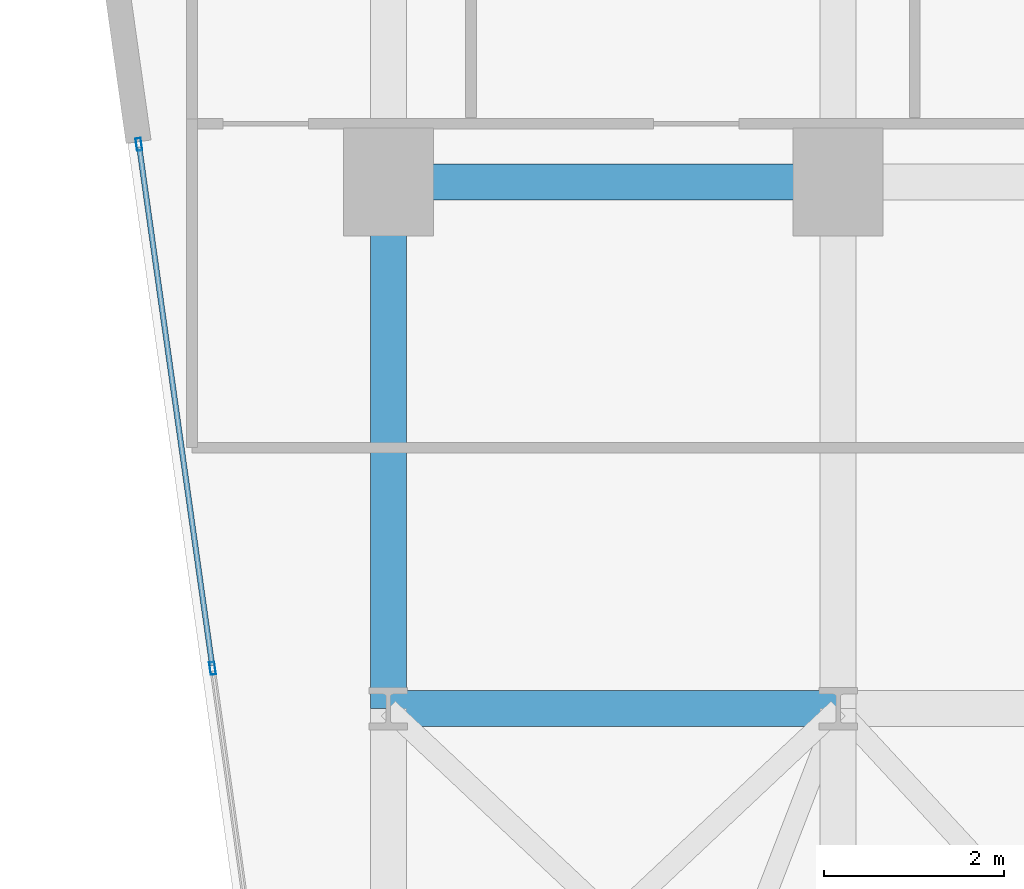
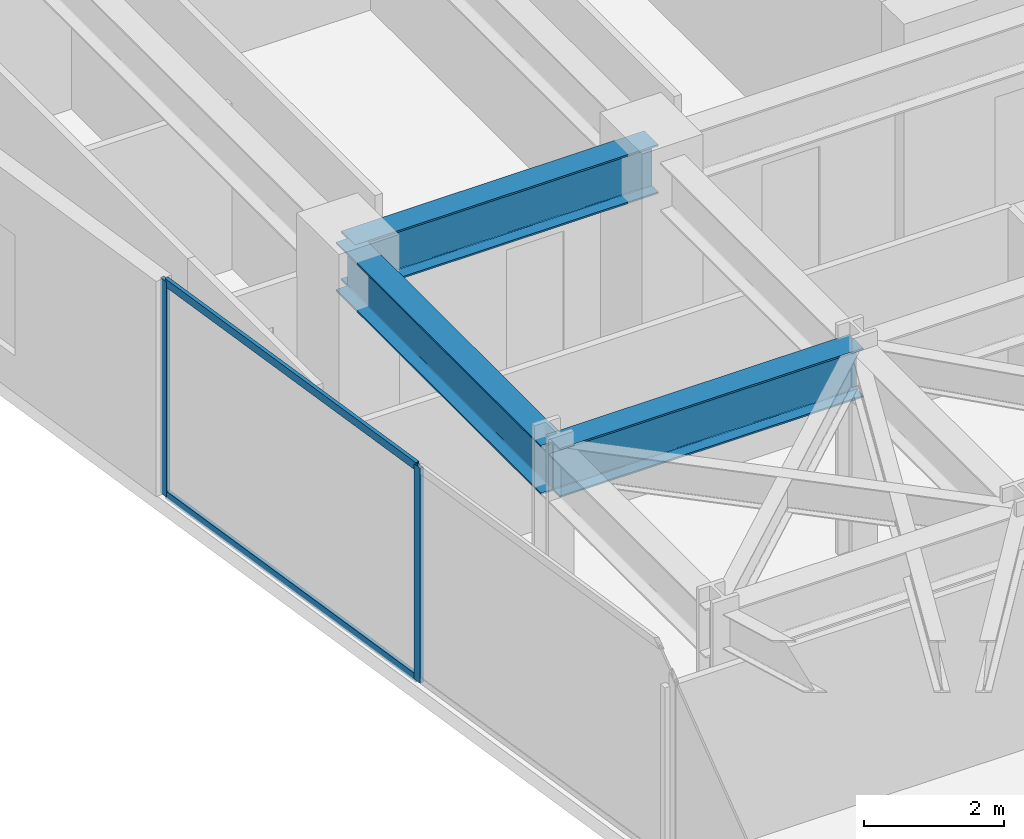
# One storey, part 11 of 26: 4 members, 3 beams, 1 element without a shape of its own.
"""IFC4 building model written with IfcOpenShell, lengths in metres."""

import ifcopenshell
import ifcopenshell.guid

model = None  # the IFC model being written
_history = None  # IfcOwnerHistory: only IFC2X3 demands one
_inside = {}  # id of a spatial element -> (the spatial element, [elements in it])
_under = {}  # id of a project, library or spatial element -> (it, [spatial elements below it])
_declared = {}  # id of a project -> (the project, [libraries it declares])
_typed = {}  # id of a type object -> (the type object, [elements of that type])
_made_of = {}  # id of a material, layer set ... -> (it, [elements and type objects made of it])


def new_model(schema):
    """Start an empty IFC model of exactly this schema.

    Asked for "IFC4X3", IfcOpenShell would pick the latest addendum, in which some entities
    have other attributes; the version numbers below select the first issue.
    IFC2X3 requires an IfcOwnerHistory on every rooted entity: one is made here for all.
    """
    global model, _history
    if schema == "IFC4X3":
        model = ifcopenshell.file(schema_version=(4, 3, 0, 0))
    else:
        model = ifcopenshell.file(schema=schema)
    _inside.clear()
    _under.clear()
    _declared.clear()
    _typed.clear()
    _made_of.clear()
    _history = None
    if model.schema == "IFC2X3":
        org = make("IfcOrganization", Name="unknown")
        user = make(
            "IfcPersonAndOrganization",
            ThePerson=make("IfcPerson", FamilyName="unknown"),
            TheOrganization=org,
        )
        app = make(
            "IfcApplication",
            ApplicationDeveloper=org,
            Version="unknown",
            ApplicationFullName="unknown",
            ApplicationIdentifier="unknown",
        )
        _history = make(
            "IfcOwnerHistory",
            OwningUser=user,
            OwningApplication=app,
            ChangeAction="ADDED",
            CreationDate=0,
        )
    return model


def make(cls, **values):
    """One entity of the class cls with the attributes given. An attribute that is None is left unset."""
    return model.create_entity(
        cls, **{name: value for name, value in values.items() if value is not None}
    )


def rooted(cls, **values):
    """An entity with a GlobalId (a new one), such as an element, a storey or a relation."""
    return make(cls, GlobalId=ifcopenshell.guid.new(), OwnerHistory=_history, **values)


def si_unit(unit_type, name, prefix=None):
    """IfcSIUnit, for example si_unit("LENGTHUNIT", "METRE", prefix="MILLI")."""
    return make("IfcSIUnit", UnitType=unit_type, Prefix=prefix, Name=name)


def assignment(units):
    """IfcUnitAssignment: the units of a project."""
    return None if units is None else make("IfcUnitAssignment", Units=units)


def point(xyz):
    """IfcCartesianPoint."""
    return None if xyz is None else make("IfcCartesianPoint", Coordinates=xyz)


def direction(xyz):
    """IfcDirection."""
    return None if xyz is None else make("IfcDirection", DirectionRatios=xyz)


def frame(location, z_axis=None, x_axis=None):
    """IfcAxis2Placement3D, a coordinate frame: its origin and axes. An axis left out is left unset."""
    return make(
        "IfcAxis2Placement3D",
        Location=point(location),
        Axis=direction(z_axis),
        RefDirection=direction(x_axis),
    )


def frame_2d(location, x_axis=None):
    """IfcAxis2Placement2D, a coordinate frame in the plane: its origin and x axis."""
    return make(
        "IfcAxis2Placement2D", Location=point(location), RefDirection=direction(x_axis)
    )


def origin():
    """The frame at (0, 0, 0) with its axes left unset."""
    return frame((0.0, 0.0, 0.0))


def origin_2d():
    """The frame at (0, 0) in the plane with its x axis left unset."""
    return frame_2d((0.0, 0.0))


def place(relative_to, where):
    """IfcLocalPlacement: puts the frame where relative to a parent placement (None: the world)."""
    return make(
        "IfcLocalPlacement", PlacementRelTo=relative_to, RelativePlacement=where
    )


def context(
    kind, dimensions, precision=None, world=None, true_north=None, identifier=None
):
    """IfcGeometricRepresentationContext, for example the 3D "Model" context."""
    return make(
        "IfcGeometricRepresentationContext",
        ContextIdentifier=identifier,
        ContextType=kind,
        CoordinateSpaceDimension=dimensions,
        Precision=precision,
        WorldCoordinateSystem=world,
        TrueNorth=true_north,
    )


def subcontext(parent, identifier, kind, view, scale=None):
    """IfcGeometricRepresentationSubContext, for example "Body" below "Model"."""
    return make(
        "IfcGeometricRepresentationSubContext",
        ContextIdentifier=identifier,
        ContextType=kind,
        ParentContext=parent,
        TargetScale=scale,
        TargetView=view,
    )


def project(units=None, contexts=None):
    """IfcProject with its units and contexts."""
    return rooted(
        "IfcProject",
        Name="project",
        RepresentationContexts=contexts,
        UnitsInContext=assignment(units),
    )


def spatial(cls, under=None, at=None, **own):
    """A site, building, storey or space (cls), placed at a placement, below another one or the project."""
    s = rooted(cls, ObjectPlacement=at, **own)
    if under is not None:
        _under.setdefault(under.id(), (under, []))[1].append(s)
    return s


def profile(cls, at=None, kind="AREA", **sizes):
    """A parametric profile (cls). Its sizes go by their IFC names, for example OverallWidth=200.0."""
    return make(cls, ProfileType=kind, Position=at, **sizes)


def hollow_rectangle(**sizes):
    """IfcRectangleHollowProfileDef."""
    return profile("IfcRectangleHollowProfileDef", **sizes)


def i_section(**sizes):
    """IfcIShapeProfileDef."""
    return profile("IfcIShapeProfileDef", **sizes)


def extrude(swept, where, along, depth):
    """IfcExtrudedAreaSolid: the profile swept, set in the frame where, extruded along a direction by depth."""
    return make(
        "IfcExtrudedAreaSolid",
        SweptArea=swept,
        Position=where,
        ExtrudedDirection=direction(along),
        Depth=depth,
    )


def shape(context_of_items, identifier, shape_type, items):
    """IfcShapeRepresentation: the items that make up one representation, for example the "Body"."""
    return make(
        "IfcShapeRepresentation",
        ContextOfItems=context_of_items,
        RepresentationIdentifier=identifier,
        RepresentationType=shape_type,
        Items=items,
    )


def material(Name=None, Category=None):
    """IfcMaterial."""
    return make("IfcMaterial", Name=Name, Category=Category)


def layer(
    of_material, thickness, ventilated=None, Name=None, Category=None, Priority=None
):
    """IfcMaterialLayer: one layer of a wall or slab, of a material (None: an air gap)."""
    return make(
        "IfcMaterialLayer",
        Material=of_material,
        LayerThickness=thickness,
        IsVentilated=ventilated,
        Name=Name,
        Category=Category,
        Priority=Priority,
    )


def layer_set(layers, Name=None):
    """IfcMaterialLayerSet."""
    return make("IfcMaterialLayerSet", MaterialLayers=layers, LayerSetName=Name)


def material_profile(
    of_material, cross_section, Name=None, Category=None, Priority=None
):
    """IfcMaterialProfile: a cross section and its material."""
    return make(
        "IfcMaterialProfile",
        Name=Name,
        Material=of_material,
        Profile=cross_section,
        Priority=Priority,
        Category=Category,
    )


def profile_set(profiles, Name=None, composite=None):
    """IfcMaterialProfileSet."""
    return make(
        "IfcMaterialProfileSet",
        Name=Name,
        MaterialProfiles=profiles,
        CompositeProfile=composite,
    )


def made_of(thing, what):
    """Note that an element or type object is made of a material, layer set ...; save() writes the relation."""
    if what is not None:
        _made_of.setdefault(what.id(), (what, []))[1].append(thing)
    return thing


def type_object(cls, material=None, **own):
    """A type object (cls), such as IfcWallType, which elements share."""
    return made_of(rooted(cls, **own), material)


def element(
    cls,
    number,
    at=None,
    inside=None,
    cuts=None,
    type_object=None,
    material=None,
    context=None,
    identifier="Body",
    shape_type=None,
    held_by="IfcProductDefinitionShape",
    body=None,
    shapes=None,
    **own,
):
    """One element of the class cls, such as IfcWall. Its Tag is "e" and its number.

    at: its placement. inside: the storey or other place that contains it. cuts: it is an
    opening in that element (IfcRelVoidsElement). A single representation is given by context,
    identifier, shape_type and body (its items); several are given by shapes. held_by: the class
    of the entity that holds the representations. save() writes the other relations.
    """
    e = rooted(cls, Tag="e%d" % number, ObjectPlacement=at, **own)
    if body is not None:
        shapes = [shape(context, identifier, shape_type, body)]
    if shapes is not None:
        e.Representation = make(held_by, Representations=shapes)
    if inside is not None:
        _inside.setdefault(inside.id(), (inside, []))[1].append(e)
    if cuts is not None:
        rooted(
            "IfcRelVoidsElement", RelatingBuildingElement=cuts, RelatedOpeningElement=e
        )
    if type_object is not None:
        _typed.setdefault(type_object.id(), (type_object, []))[1].append(e)
    return made_of(e, material)


def aggregate(whole, parts):
    """IfcRelAggregates: a whole, such as a stair, and the parts it consists of."""
    return rooted("IfcRelAggregates", RelatingObject=whole, RelatedObjects=parts)


def save(model, path):
    """Write the relations noted so far, then the file.

    IfcRelAggregates (storeys below a building ...), IfcRelContainedInSpatialStructure (elements
    in a storey), IfcRelDefinesByType, IfcRelAssociatesMaterial and IfcRelDeclares: one each for
    every whole, place, type object, material and project.
    """
    for whole, parts in _under.values():
        aggregate(whole, parts)
    for where, things in _inside.values():
        rooted(
            "IfcRelContainedInSpatialStructure",
            RelatedElements=things,
            RelatingStructure=where,
        )
    for kind, things in _typed.values():
        rooted("IfcRelDefinesByType", RelatedObjects=things, RelatingType=kind)
    for what, things in _made_of.values():
        rooted("IfcRelAssociatesMaterial", RelatedObjects=things, RelatingMaterial=what)
    for by, libraries in _declared.values():
        rooted("IfcRelDeclares", RelatingContext=by, RelatedDefinitions=libraries)
    model.write(path)


model = new_model("IFC4")

# Units and contexts
model_context = context("Model", 3, precision=1e-05, world=origin(), true_north=direction((0.0, 1.0)))
body_context = subcontext(model_context, "Body", "Model", "MODEL_VIEW")
ifc_project = project(units=[si_unit("LENGTHUNIT", "METRE"), si_unit("AREAUNIT", "SQUARE_METRE"), si_unit("VOLUMEUNIT", "CUBIC_METRE"), si_unit("PLANEANGLEUNIT", "RADIAN"), si_unit("MASSUNIT", "GRAM", prefix="KILO")], contexts=[model_context])

# Site, building, storey
site_placement = place(None, origin())
site = spatial("IfcSite", under=ifc_project, at=site_placement, CompositionType="ELEMENT")
building_placement = place(site_placement, origin())
building = spatial("IfcBuilding", under=site, at=building_placement, Name="Kravanh Interchange Tower", CompositionType="ELEMENT")
storey_placement = place(building_placement, frame((0.0, 0.0, 112.0)))
storey = spatial("IfcBuildingStorey", under=building, at=storey_placement, Name="L26", CompositionType="ELEMENT", Elevation=112.0)

# Curtain wall, members
ifc_material_1 = material(Name="Anodised Bronze Aluminium", Category="aluminium")
ifc_layer = layer(ifc_material_1, 0.179931640625)
ifc_layer_set = layer_set([ifc_layer], Name="Unitised Curtain Wall System CW-Z2 Mid Office")
curtain_wall_type = type_object("IfcCurtainWallType", Name="Unitised Curtain Wall System CW-Z2 Mid Office", PredefinedType="NOTDEFINED", material=ifc_layer_set)
curtain_wall_placement = place(storey_placement, origin())
curtain_wall = element("IfcCurtainWall", 1, at=curtain_wall_placement, inside=storey, type_object=curtain_wall_type, Name="L26 Unitised Curtain Wall CW-L26-01", PredefinedType="NOTDEFINED")
ifc_material_2 = material(Name="Anodised Bronze Aluminium", Category="aluminium")
ifc_material_profile_1 = material_profile(ifc_material_2, hollow_rectangle(XDim=0.06005859375, YDim=0.139892578125, WallThickness=0.00390625, at=origin_2d()), Name="ALU60X140X4")
ifc_profile_set_1 = profile_set([ifc_material_profile_1], Name="Anodised Bronze Aluminium")
member_type_1 = type_object("IfcMemberType", Name="Curtain Wall Mullion ALU60X140X4 Bronze", PredefinedType="MULLION", material=ifc_profile_set_1)
member_1_placement = place(storey_placement, frame((11.6474609375, 31.94775390625, 0.0), z_axis=(0.0, 0.0, 1.0), x_axis=(-0.990268103846, -0.13917285118, 0.0)))
member_1 = element("IfcMember", 2, at=member_1_placement, type_object=member_type_1, Name="CW-Z2 mullion 5", PredefinedType="MULLION", context=body_context, shape_type="SweptSolid", body=[
    extrude(hollow_rectangle(XDim=0.06005859375, YDim=0.139892578125, WallThickness=0.00390625, at=origin_2d()), origin(), (0.0, 0.0, 1.0), 3.75),
])
member_2_placement = place(storey_placement, frame((10.8291015625, 37.770263671875, 0.0), z_axis=(0.0, 0.0, 1.0), x_axis=(-0.990268103846, -0.13917285118, 0.0)))
member_2 = element("IfcMember", 3, at=member_2_placement, type_object=member_type_1, Name="CW-Z2 mullion 6", PredefinedType="MULLION", context=body_context, shape_type="SweptSolid", body=[
    extrude(hollow_rectangle(XDim=0.06005859375, YDim=0.139892578125, WallThickness=0.00390625, at=origin_2d()), origin(), (0.0, 0.0, 1.0), 3.75),
])
ifc_material_3 = material(Name="Anodised Bronze Aluminium", Category="aluminium")
ifc_material_profile_2 = material_profile(ifc_material_3, hollow_rectangle(XDim=0.06005859375, YDim=0.139892578125, WallThickness=0.00390625, at=origin_2d()), Name="ALU60X140X4")
ifc_profile_set_2 = profile_set([ifc_material_profile_2], Name="Anodised Bronze Aluminium")
member_type_2 = type_object("IfcMemberType", Name="Curtain Wall Transom ALU60X140X4 Bronze", PredefinedType="USERDEFINED", material=ifc_profile_set_2)
member_3_placement = place(storey_placement, frame((11.643310546875, 31.9775390625, 0.030029296875), z_axis=(-0.139195052528, 0.990264983402, 0.0), x_axis=(-0.990264983402, -0.139195052528, 0.0)))
member_3 = element("IfcMember", 4, at=member_3_placement, type_object=member_type_2, Name="CW-Z2 transom 5.1", ObjectType="TRANSOM", PredefinedType="USERDEFINED", context=body_context, shape_type="SweptSolid", body=[
    extrude(hollow_rectangle(XDim=0.06005859375, YDim=0.139892578125, WallThickness=0.00390625, at=origin_2d()), origin(), (0.0, 0.0, 1.0), 5.819580078125),
])
member_4_placement = place(storey_placement, frame((11.643310546875, 31.9775390625, 3.719970703125), z_axis=(-0.139195052528, 0.990264983402, 0.0), x_axis=(-0.990264983402, -0.139195052528, 0.0)))
member_4 = element("IfcMember", 5, at=member_4_placement, type_object=member_type_2, Name="CW-Z2 transom 5.2", ObjectType="TRANSOM", PredefinedType="USERDEFINED", context=body_context, shape_type="SweptSolid", body=[
    extrude(hollow_rectangle(XDim=0.06005859375, YDim=0.139892578125, WallThickness=0.00390625, at=origin_2d()), origin(), (0.0, 0.0, 1.0), 5.819580078125),
])
aggregate(curtain_wall, [member_1, member_2, member_3, member_4])

# Beams
ifc_material_4 = material(Name="Structural Steel S355", Category="steel")
ifc_material_profile_3 = material_profile(ifc_material_4, i_section(OverallWidth=0.39990234375, OverallDepth=0.85595703125, WebThickness=0.018310546875, FlangeThickness=0.029296875, FilletRadius=0.02490234375, at=origin_2d()), Name="W33X201")
ifc_profile_set_3 = profile_set([ifc_material_profile_3], Name="Structural Steel S355")
beam_type = type_object("IfcBeamType", Name="Floor Beam W33X201 Structural Steel S355", PredefinedType="BEAM", material=ifc_profile_set_3)
beam_1_placement = place(storey_placement, frame((18.60009765625, 37.35009765625, 3.322021484375), z_axis=(-1.0, 0.0, 0.0), x_axis=(0.0, -1.0, 0.0)))
element("IfcBeam", 6, at=beam_1_placement, inside=storey, type_object=beam_type, Name="L26 Primary Floor Girder 28", PredefinedType="BEAM", context=body_context, shape_type="SweptSolid", body=[
    extrude(i_section(OverallWidth=0.39990234375, OverallDepth=0.85595703125, WebThickness=0.018310546875, FlangeThickness=0.029296875, FilletRadius=0.02490234375, at=origin_2d()), origin(), (0.0, 0.0, 1.0), 5.0),
])
beam_2_placement = place(storey_placement, frame((13.60009765625, 37.35009765625, 3.322021484375), z_axis=(0.0, -1.0, 0.0), x_axis=(1.0, 0.0, 0.0)))
element("IfcBeam", 7, at=beam_2_placement, inside=storey, type_object=beam_type, Name="L26 Primary Floor Girder 32", PredefinedType="BEAM", context=body_context, shape_type="SweptSolid", body=[
    extrude(i_section(OverallWidth=0.39990234375, OverallDepth=0.85595703125, WebThickness=0.018310546875, FlangeThickness=0.029296875, FilletRadius=0.02490234375, at=origin_2d()), origin(), (0.0, 0.0, 1.0), 5.85009765625),
])
beam_3_placement = place(storey_placement, frame((13.60009765625, 31.5, 3.322021484375), z_axis=(1.0, 0.0, 0.0), x_axis=(0.0, 1.0, 0.0)))
element("IfcBeam", 8, at=beam_3_placement, inside=storey, type_object=beam_type, Name="L26 Primary Floor Girder 69", PredefinedType="BEAM", context=body_context, shape_type="SweptSolid", body=[
    extrude(i_section(OverallWidth=0.39990234375, OverallDepth=0.85595703125, WebThickness=0.018310546875, FlangeThickness=0.029296875, FilletRadius=0.02490234375, at=origin_2d()), origin(), (0.0, 0.0, 1.0), 5.0),
])

save(model, "model.ifc")
